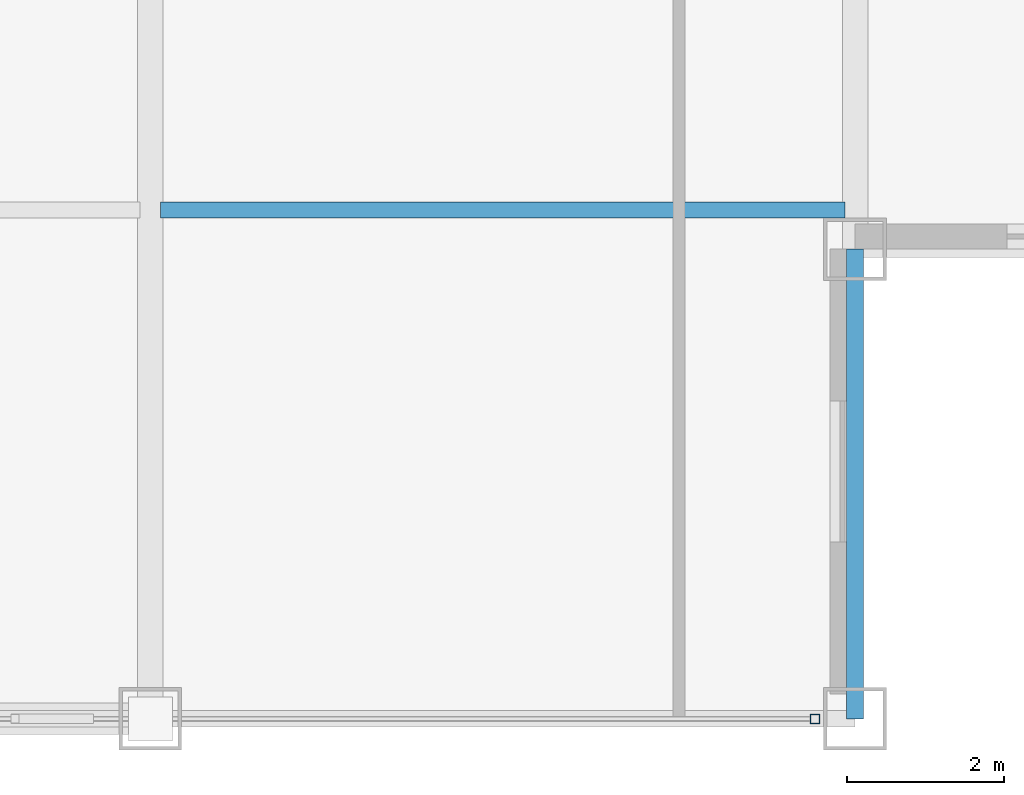
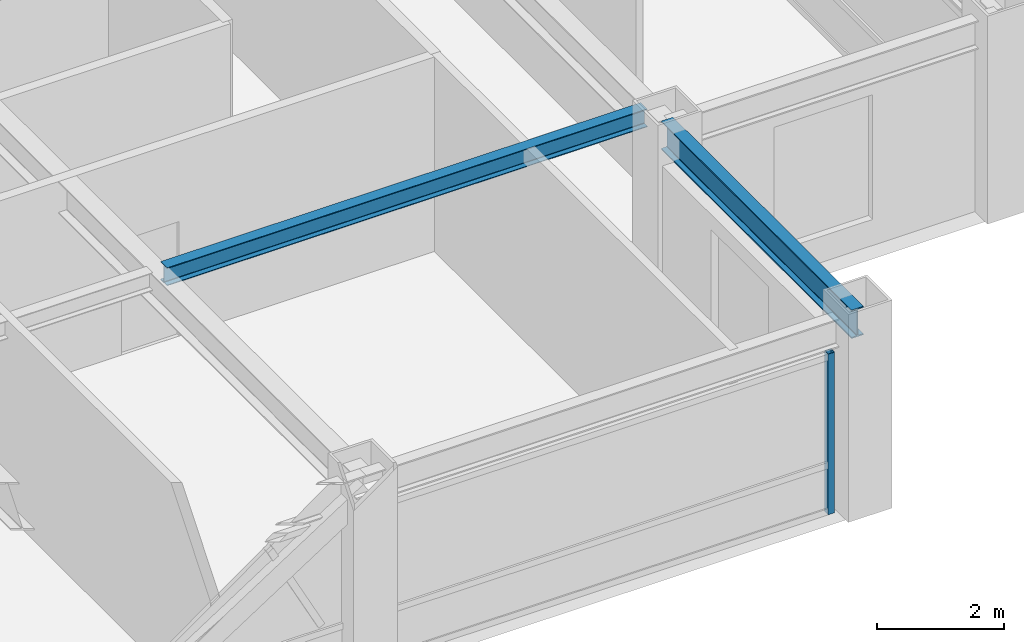
# One storey, part 8 of 28: 2 beams, 1 member, 1 element without a shape of its own.
"""IFC4 building model written with IfcOpenShell, lengths in metres."""

from ifc_helpers import new_model, si_unit, direction, frame, origin, origin_2d, place, context, subcontext, project, spatial, hollow_rectangle, i_section, extrude, source, transform, mapped, material, material_profile, profile_set, type_object, element, aggregate, save


model = new_model("IFC4")

# Units and contexts
model_context = context("Model", 3, precision=1e-05, world=origin(), true_north=direction((0.0, 1.0)))
body_context = subcontext(model_context, "Body", "Model", "MODEL_VIEW")
ifc_project = project(units=[si_unit("LENGTHUNIT", "METRE"), si_unit("AREAUNIT", "SQUARE_METRE"), si_unit("VOLUMEUNIT", "CUBIC_METRE"), si_unit("PLANEANGLEUNIT", "RADIAN"), si_unit("MASSUNIT", "GRAM", prefix="KILO")], contexts=[model_context])

# Site, building, storey
site_placement = place(None, origin())
site = spatial("IfcSite", under=ifc_project, at=site_placement, CompositionType="ELEMENT")
building_placement = place(site_placement, origin())
building = spatial("IfcBuilding", under=site, at=building_placement, Name="Khorayat Bourse Tower", CompositionType="ELEMENT")
storey_placement = place(building_placement, frame((0.0, 0.0, 330.300048828125)))
storey = spatial("IfcBuildingStorey", under=building, at=storey_placement, Name="L78", CompositionType="ELEMENT", Elevation=330.300048828125)

# Beams
ifc_material_1 = material(Name="Steel ASTM A992 Grade 50", Category="steel")
ifc_material_profile_1 = material_profile(ifc_material_1, i_section(OverallWidth=0.214111328125, OverallDepth=0.549072265625, WebThickness=0.0146484375, FlangeThickness=0.023681640625, FilletRadius=0.013916015625, at=origin_2d()), Name="W530X138")
ifc_profile_set_1 = profile_set([ifc_material_profile_1], Name="Steel ASTM A992 Grade 50")
beam_type_1 = type_object("IfcBeamType", Name="BM-SPAN-530", PredefinedType="SPANDREL", material=ifc_profile_set_1)
shared_shape_1 = source(origin(), body_context, "Body", "SweptSolid", [
    extrude(i_section(OverallWidth=0.214111328125, OverallDepth=0.549072265625, WebThickness=0.0146484375, FlangeThickness=0.023681640625, FilletRadius=0.013916015625, at=origin_2d()), origin(), (0.0, 0.0, 1.0), 6.0),
])
beam_1_placement = place(storey_placement, frame((20.0, -26.0, 3.46533203125), z_axis=(0.0, 1.0, 0.0), x_axis=(-1.0, 0.0, 0.0)))
element("IfcBeam", 1, at=beam_1_placement, inside=storey, type_object=beam_type_1, Name="L78 BM-SPAN-530 BM-L78-SPN-030", PredefinedType="SPANDREL", context=body_context, shape_type="MappedRepresentation", body=[
    mapped(shared_shape_1, transform((0.0, 0.0, 0.0), scale=1.0)),
])
ifc_material_profile_2 = material_profile(ifc_material_1, i_section(OverallWidth=0.202880859375, OverallDepth=0.346923828125, WebThickness=0.0078125, FlangeThickness=0.013427734375, FilletRadius=0.010009765625, at=origin_2d()), Name="W360X64")
ifc_profile_set_2 = profile_set([ifc_material_profile_2], Name="Steel ASTM A992 Grade 50")
beam_type_2 = type_object("IfcBeamType", Name="BM-JOIST-360", PredefinedType="JOIST", material=ifc_profile_set_2)
shared_shape_2 = source(origin(), body_context, "Body", "SweptSolid", [
    extrude(i_section(OverallWidth=0.202880859375, OverallDepth=0.346923828125, WebThickness=0.0078125, FlangeThickness=0.013427734375, FilletRadius=0.010009765625, at=origin_2d()), origin(), (0.0, 0.0, 1.0), 8.740234375),
])
beam_2_placement = place(storey_placement, frame((11.1298828125, -19.5, 3.56640625), z_axis=(1.0, 0.0, 0.0), x_axis=(0.0, 1.0, 0.0)))
element("IfcBeam", 2, at=beam_2_placement, inside=storey, type_object=beam_type_2, Name="L78 BM-JOIST-360 BM-L78-JSTX-082", PredefinedType="JOIST", context=body_context, shape_type="MappedRepresentation", body=[
    mapped(shared_shape_2, transform((0.0, 0.0, 0.0), scale=1.0)),
])

# Curtain wall, member
ifc_material_2 = material(Name="Aluminium EN AW-6063 T6", Category="aluminium")
curtain_wall_type = type_object("IfcCurtainWallType", Name="CW-SYS-04", PredefinedType="NOTDEFINED", material=ifc_material_2)
curtain_wall_placement = place(storey_placement, origin())
curtain_wall = element("IfcCurtainWall", 3, at=curtain_wall_placement, inside=storey, type_object=curtain_wall_type, Name="L78 Curtain Wall CW-L78-S1", PredefinedType="NOTDEFINED")
ifc_material_profile_3 = material_profile(ifc_material_2, hollow_rectangle(XDim=0.1201171875, YDim=0.1201171875, WallThickness=0.0048828125, at=origin_2d()), Name="ALU 120x120x5")
ifc_profile_set_3 = profile_set([ifc_material_profile_3], Name="Aluminium EN AW-6063 T6")
member_type = type_object("IfcMemberType", Name="CWM-VERT-120", PredefinedType="MULLION", material=ifc_profile_set_3)
shared_shape_3 = source(origin(), body_context, "Body", "SweptSolid", [
    extrude(hollow_rectangle(XDim=0.1201171875, YDim=0.1201171875, WallThickness=0.0048828125, at=origin_2d()), origin(), (0.0, 0.0, 1.0), 3.08984375),
])
member_placement = place(storey_placement, frame((19.489990234375, -26.0, 0.0), z_axis=(0.0, 0.0, 1.0), x_axis=(0.0, 1.0, 0.0)))
member = element("IfcMember", 4, at=member_placement, type_object=member_type, Name="CW-L78-S1 Vertical Mullion 3", PredefinedType="MULLION", context=body_context, shape_type="MappedRepresentation", body=[
    mapped(shared_shape_3, transform((0.0, 0.0, 0.0), scale=1.0)),
])
aggregate(curtain_wall, [member])

save(model, "model.ifc")
